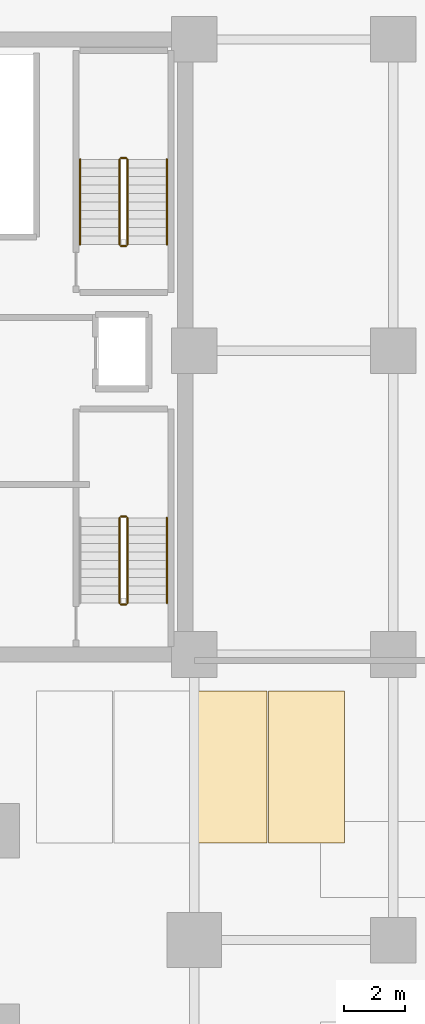
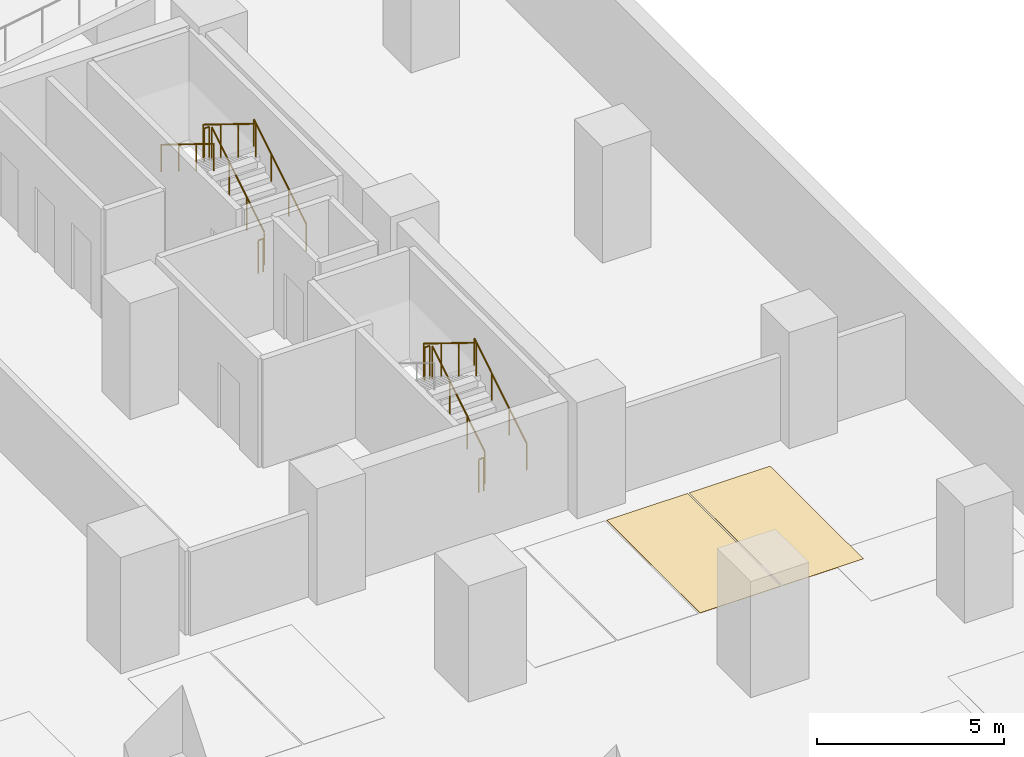
# One storey, part 9 of 9: 11 railings, 2 coverings.
"""IFC4 building model written with IfcOpenShell, lengths in metres."""

from ifc_helpers import new_model, si_unit, direction, frame, origin, origin_2d, place, context, subcontext, project, spatial, polyline, circle, outline, extrude, material, layer, layer_set, type_object, element, save


model = new_model("IFC4")

# Units and contexts
model_context = context("Model", 3, precision=1e-05, world=origin(), true_north=direction((0.0, 1.0)))
body_context = subcontext(model_context, "Body", "Model", "MODEL_VIEW")
ifc_project = project(units=[si_unit("LENGTHUNIT", "METRE"), si_unit("AREAUNIT", "SQUARE_METRE"), si_unit("VOLUMEUNIT", "CUBIC_METRE"), si_unit("PLANEANGLEUNIT", "RADIAN"), si_unit("MASSUNIT", "GRAM", prefix="KILO")], contexts=[model_context])

# Site, building, storey
site_placement = place(None, origin())
site = spatial("IfcSite", under=ifc_project, at=site_placement, CompositionType="ELEMENT")
building_placement = place(site_placement, origin())
building = spatial("IfcBuilding", under=site, at=building_placement, Name="Kuzgunbayir Cultural Tower", CompositionType="ELEMENT")
storey_placement = place(building_placement, frame((0.0, 0.0, -3.800048828125)))
storey = spatial("IfcBuildingStorey", under=building, at=storey_placement, Name="B01", CompositionType="ELEMENT", Elevation=-3.800048828125)

# Coverings
ifc_material_1 = material(Name="Epoxy Car Park Deck Coating", Category="finish")
ifc_layer_1 = layer(ifc_material_1, 0.006103515625)
ifc_layer_set_1 = layer_set([ifc_layer_1], Name="Epoxy Car Park Deck Coating")
covering_type = type_object("IfcCoveringType", Name="COV-PARK-BAY", PredefinedType="FLOORING", material=ifc_layer_set_1)
covering_1_placement = place(storey_placement, origin())
element("IfcCovering", 1, at=covering_1_placement, inside=storey, type_object=covering_type, Name="B01-P024 Car Parking Bay Marking", PredefinedType="FLOORING", context=body_context, shape_type="SweptSolid", body=[
    extrude(outline(polyline([(72.550048828125, 15.800048828125), (75.050048828125, 15.800048828125), (75.050048828125, 20.800048828125), (72.550048828125, 20.800048828125), (72.550048828125, 15.800048828125)])), origin(), (0.0, 0.0, 1.0), 0.010009765625),
])
covering_2_placement = place(storey_placement, origin())
element("IfcCovering", 2, at=covering_2_placement, inside=storey, type_object=covering_type, Name="B01-P025 Car Parking Bay Marking", PredefinedType="FLOORING", context=body_context, shape_type="SweptSolid", body=[
    extrude(outline(polyline([(75.10009765625, 15.800048828125), (77.60009765625, 15.800048828125), (77.60009765625, 20.800048828125), (75.10009765625, 20.800048828125), (75.10009765625, 15.800048828125)])), origin(), (0.0, 0.0, 1.0), 0.010009765625),
])

# Railings
ifc_material_2 = material(Name="Brushed Stainless Steel", Category="steel")
ifc_layer_2 = layer(ifc_material_2, 0.050048828125)
ifc_layer_set_2 = layer_set([ifc_layer_2], Name="Brushed Stainless Steel")
railing_type_1 = type_object("IfcRailingType", Name="RLG-STAIR-HANDRAIL", PredefinedType="HANDRAIL", material=ifc_layer_set_2)
for number, where, name in (
    (3, (71.75, 23.699951171875, 0.1728515625), "B01 ST-3 stair handrail 1"),
    (4, (71.75, 35.5, 0.1728515625), "B01 ST-4 stair handrail 1"),
):
    element("IfcRailing", number, at=place(storey_placement, frame(where)), inside=storey, type_object=railing_type_1, Name=name, PredefinedType="HANDRAIL", context=body_context, shape_type="SweptSolid", body=[
        extrude(circle(Radius=0.02392578125, at=origin_2d()), frame((0.0, 0.0, 0.8759765625), z_axis=(0.0, 0.851089632645, 0.525020415988), x_axis=(-1.0, 0.0, 0.0)), (0.0, 0.0, 1.0), 3.2900390625),
        extrude(circle(Radius=0.02099609375, at=origin_2d()), origin(), (0.0, 0.0, 1.0), 0.851806640625),
        extrude(circle(Radius=0.02099609375, at=origin_2d()), frame((0.0, 0.933349609375, 0.57568359375)), (0.0, 0.0, 1.0), 0.851806640625),
        extrude(circle(Radius=0.02099609375, at=origin_2d()), frame((0.0, 1.86669921875, 1.151611328125)), (0.0, 0.0, 1.0), 0.851806640625),
        extrude(circle(Radius=0.02099609375, at=origin_2d()), frame((0.0, 2.800048828125, 1.727294921875)), (0.0, 0.0, 1.0), 0.851806640625),
    ])
railing_1_placement = place(storey_placement, frame((68.889892578125, 38.300048828125, 2.07275390625)))
element("IfcRailing", 5, at=railing_1_placement, inside=storey, type_object=railing_type_1, Name="B01 ST-4 stair handrail 2", PredefinedType="HANDRAIL", context=body_context, shape_type="SweptSolid", body=[
    extrude(circle(Radius=0.02392578125, at=origin_2d()), frame((0.0, 0.0, 0.8759765625), z_axis=(0.0, -0.851089632645, 0.525020415988), x_axis=(1.0, 0.0, 0.0)), (0.0, 0.0, 1.0), 3.2900390625),
    extrude(circle(Radius=0.02099609375, at=origin_2d()), origin(), (0.0, 0.0, 1.0), 0.851806640625),
    extrude(circle(Radius=0.02099609375, at=origin_2d()), frame((0.0, -0.933349609375, 0.57568359375)), (0.0, 0.0, 1.0), 0.851806640625),
    extrude(circle(Radius=0.02099609375, at=origin_2d()), frame((0.0, -1.86669921875, 1.151611328125)), (0.0, 0.0, 1.0), 0.851806640625),
    extrude(circle(Radius=0.02099609375, at=origin_2d()), frame((0.0, -2.800048828125, 1.727294921875)), (0.0, 0.0, 1.0), 0.851806640625),
])
ifc_material_3 = material(Name="Painted Steel Balustrade", Category="steel")
ifc_layer_3 = layer(ifc_material_3, 0.06005859375)
ifc_layer_set_3 = layer_set([ifc_layer_3], Name="Painted Steel Balustrade")
railing_type_2 = type_object("IfcRailingType", Name="RLG-WELL-GUARD", PredefinedType="GUARDRAIL", material=ifc_layer_set_3)
railing_2_placement = place(storey_placement, frame((70.449951171875, 23.699951171875, 0.1728515625)))
element("IfcRailing", 6, at=railing_2_placement, inside=storey, type_object=railing_type_2, Name="B01 ST-3 stair guard 1", PredefinedType="GUARDRAIL", context=body_context, shape_type="SweptSolid", body=[
    extrude(circle(Radius=0.02392578125, at=origin_2d()), frame((0.0, 0.0, 1.076171875), z_axis=(0.0, 0.851089632645, 0.525020415988), x_axis=(-1.0, 0.0, 0.0)), (0.0, 0.0, 1.0), 3.2900390625),
    extrude(circle(Radius=0.02099609375, at=origin_2d()), origin(), (0.0, 0.0, 1.0), 1.052001953125),
    extrude(circle(Radius=0.02099609375, at=origin_2d()), frame((0.0, 0.933349609375, 0.57568359375)), (0.0, 0.0, 1.0), 1.052001953125),
    extrude(circle(Radius=0.02099609375, at=origin_2d()), frame((0.0, 1.86669921875, 1.151611328125)), (0.0, 0.0, 1.0), 1.052001953125),
    extrude(circle(Radius=0.02099609375, at=origin_2d()), frame((0.0, 2.800048828125, 1.727294921875)), (0.0, 0.0, 1.0), 1.052001953125),
])
railing_3_placement = place(storey_placement, frame((70.39990234375, 26.550048828125, 1.900146484375)))
element("IfcRailing", 7, at=railing_3_placement, inside=storey, type_object=railing_type_2, Name="B01 ST-3 stair guard 2", PredefinedType="GUARDRAIL", context=body_context, shape_type="SweptSolid", body=[
    extrude(circle(Radius=0.02392578125, at=origin_2d()), frame((0.0, 0.0, 1.076171875), z_axis=(-1.0, 0.0, 0.0), x_axis=(0.0, -1.0, 0.0)), (0.0, 0.0, 1.0), 0.159912109375),
    extrude(circle(Radius=0.02099609375, at=origin_2d()), origin(), (0.0, 0.0, 1.0), 1.052001953125),
    extrude(circle(Radius=0.02099609375, at=origin_2d()), frame((-0.159912109375, 0.0, 0.0)), (0.0, 0.0, 1.0), 1.052001953125),
])
railing_4_placement = place(storey_placement, frame((70.18994140625, 26.5, 2.07275390625)))
element("IfcRailing", 8, at=railing_4_placement, inside=storey, type_object=railing_type_2, Name="B01 ST-3 stair guard 3", PredefinedType="GUARDRAIL", context=body_context, shape_type="SweptSolid", body=[
    extrude(circle(Radius=0.02392578125, at=origin_2d()), frame((0.0, 0.0, 1.076171875), z_axis=(0.0, -0.851089632645, 0.525020415988), x_axis=(1.0, 0.0, 0.0)), (0.0, 0.0, 1.0), 3.2900390625),
    extrude(circle(Radius=0.02099609375, at=origin_2d()), origin(), (0.0, 0.0, 1.0), 1.052001953125),
    extrude(circle(Radius=0.02099609375, at=origin_2d()), frame((0.0, -0.933349609375, 0.57568359375)), (0.0, 0.0, 1.0), 1.052001953125),
    extrude(circle(Radius=0.02099609375, at=origin_2d()), frame((0.0, -1.86669921875, 1.151611328125)), (0.0, 0.0, 1.0), 1.052001953125),
    extrude(circle(Radius=0.02099609375, at=origin_2d()), frame((0.0, -2.800048828125, 1.727294921875)), (0.0, 0.0, 1.0), 1.052001953125),
])
railing_5_placement = place(storey_placement, frame((70.39990234375, 23.64990234375, 0.0)))
element("IfcRailing", 9, at=railing_5_placement, inside=storey, type_object=railing_type_2, Name="B01 ST-3 stair guard 4", PredefinedType="GUARDRAIL", context=body_context, shape_type="SweptSolid", body=[
    extrude(circle(Radius=0.02392578125, at=origin_2d()), frame((0.0, 0.0, 1.076171875), z_axis=(-1.0, 0.0, 0.0), x_axis=(0.0, -1.0, 0.0)), (0.0, 0.0, 1.0), 0.159912109375),
    extrude(circle(Radius=0.02099609375, at=origin_2d()), origin(), (0.0, 0.0, 1.0), 1.052001953125),
    extrude(circle(Radius=0.02099609375, at=origin_2d()), frame((-0.159912109375, 0.0, 0.0)), (0.0, 0.0, 1.0), 1.052001953125),
])
railing_6_placement = place(storey_placement, frame((70.449951171875, 35.5, 0.1728515625)))
element("IfcRailing", 10, at=railing_6_placement, inside=storey, type_object=railing_type_2, Name="B01 ST-4 stair guard 1", PredefinedType="GUARDRAIL", context=body_context, shape_type="SweptSolid", body=[
    extrude(circle(Radius=0.02392578125, at=origin_2d()), frame((0.0, 0.0, 1.076171875), z_axis=(0.0, 0.851089632645, 0.525020415988), x_axis=(-1.0, 0.0, 0.0)), (0.0, 0.0, 1.0), 3.2900390625),
    extrude(circle(Radius=0.02099609375, at=origin_2d()), origin(), (0.0, 0.0, 1.0), 1.052001953125),
    extrude(circle(Radius=0.02099609375, at=origin_2d()), frame((0.0, 0.933349609375, 0.57568359375)), (0.0, 0.0, 1.0), 1.052001953125),
    extrude(circle(Radius=0.02099609375, at=origin_2d()), frame((0.0, 1.86669921875, 1.151611328125)), (0.0, 0.0, 1.0), 1.052001953125),
    extrude(circle(Radius=0.02099609375, at=origin_2d()), frame((0.0, 2.800048828125, 1.727294921875)), (0.0, 0.0, 1.0), 1.052001953125),
])
railing_7_placement = place(storey_placement, frame((70.39990234375, 38.35009765625, 1.900146484375)))
element("IfcRailing", 11, at=railing_7_placement, inside=storey, type_object=railing_type_2, Name="B01 ST-4 stair guard 2", PredefinedType="GUARDRAIL", context=body_context, shape_type="SweptSolid", body=[
    extrude(circle(Radius=0.02392578125, at=origin_2d()), frame((0.0, 0.0, 1.076171875), z_axis=(-1.0, 0.0, 0.0), x_axis=(0.0, -1.0, 0.0)), (0.0, 0.0, 1.0), 0.159912109375),
    extrude(circle(Radius=0.02099609375, at=origin_2d()), origin(), (0.0, 0.0, 1.0), 1.052001953125),
    extrude(circle(Radius=0.02099609375, at=origin_2d()), frame((-0.159912109375, 0.0, 0.0)), (0.0, 0.0, 1.0), 1.052001953125),
])
railing_8_placement = place(storey_placement, frame((70.18994140625, 38.300048828125, 2.07275390625)))
element("IfcRailing", 12, at=railing_8_placement, inside=storey, type_object=railing_type_2, Name="B01 ST-4 stair guard 3", PredefinedType="GUARDRAIL", context=body_context, shape_type="SweptSolid", body=[
    extrude(circle(Radius=0.02392578125, at=origin_2d()), frame((0.0, 0.0, 1.076171875), z_axis=(0.0, -0.851089632645, 0.525020415988), x_axis=(1.0, 0.0, 0.0)), (0.0, 0.0, 1.0), 3.2900390625),
    extrude(circle(Radius=0.02099609375, at=origin_2d()), origin(), (0.0, 0.0, 1.0), 1.052001953125),
    extrude(circle(Radius=0.02099609375, at=origin_2d()), frame((0.0, -0.933349609375, 0.57568359375)), (0.0, 0.0, 1.0), 1.052001953125),
    extrude(circle(Radius=0.02099609375, at=origin_2d()), frame((0.0, -1.86669921875, 1.151611328125)), (0.0, 0.0, 1.0), 1.052001953125),
    extrude(circle(Radius=0.02099609375, at=origin_2d()), frame((0.0, -2.800048828125, 1.727294921875)), (0.0, 0.0, 1.0), 1.052001953125),
])
railing_9_placement = place(storey_placement, frame((70.39990234375, 35.449951171875, 0.0)))
element("IfcRailing", 13, at=railing_9_placement, inside=storey, type_object=railing_type_2, Name="B01 ST-4 stair guard 4", PredefinedType="GUARDRAIL", context=body_context, shape_type="SweptSolid", body=[
    extrude(circle(Radius=0.02392578125, at=origin_2d()), frame((0.0, 0.0, 1.076171875), z_axis=(-1.0, 0.0, 0.0), x_axis=(0.0, -1.0, 0.0)), (0.0, 0.0, 1.0), 0.159912109375),
    extrude(circle(Radius=0.02099609375, at=origin_2d()), origin(), (0.0, 0.0, 1.0), 1.052001953125),
    extrude(circle(Radius=0.02099609375, at=origin_2d()), frame((-0.159912109375, 0.0, 0.0)), (0.0, 0.0, 1.0), 1.052001953125),
])

save(model, "model.ifc")
